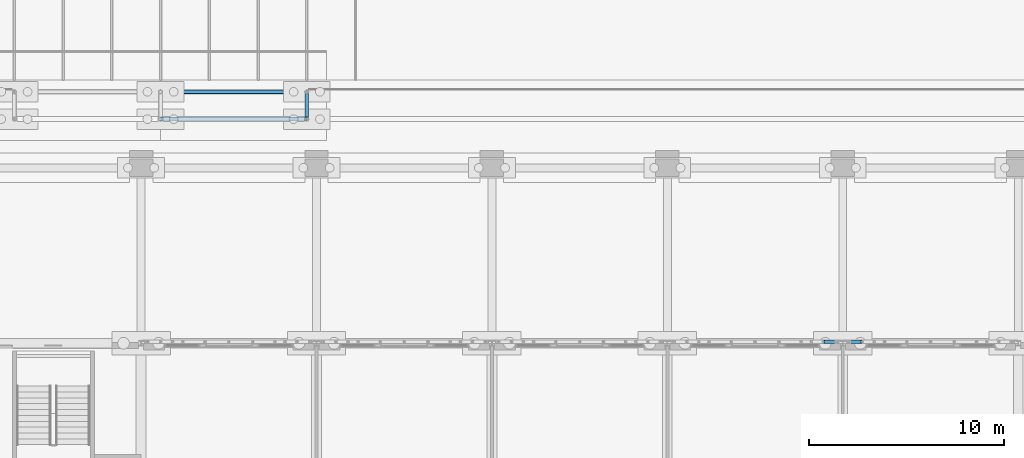
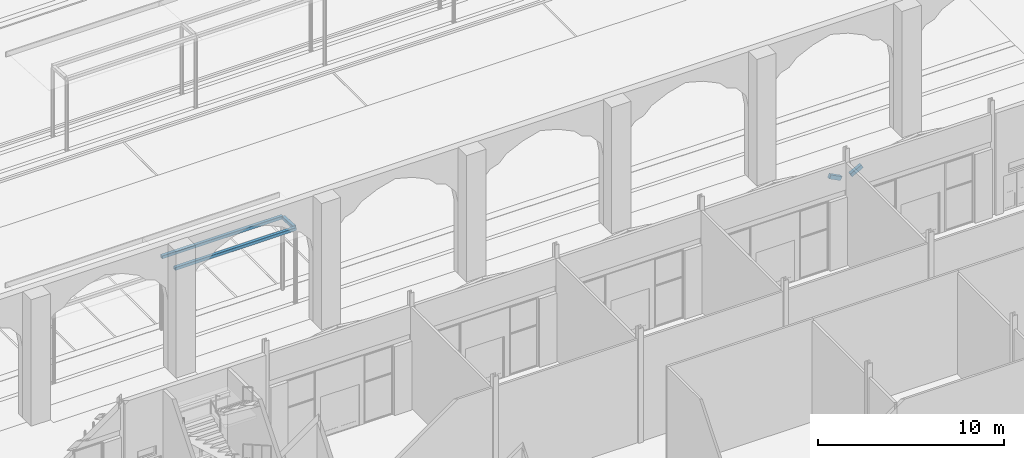
# One storey, part 61 of 250: 5 beams.
"""IFC4 building model written with IfcOpenShell, lengths in metres."""

from ifc_helpers import new_model, si_unit, direction, frame, origin, origin_2d, place, context, subcontext, project, spatial, rectangle, hollow_rectangle, extrude, material, material_profile, profile_set, type_object, element, save


model = new_model("IFC4")

# Units and contexts
model_context = context("Model", 3, precision=1e-05, world=origin(), true_north=direction((0.0, 1.0)))
body_context = subcontext(model_context, "Body", "Model", "MODEL_VIEW")
ifc_project = project(units=[si_unit("LENGTHUNIT", "METRE"), si_unit("AREAUNIT", "SQUARE_METRE"), si_unit("VOLUMEUNIT", "CUBIC_METRE"), si_unit("PLANEANGLEUNIT", "RADIAN"), si_unit("MASSUNIT", "GRAM", prefix="KILO")], contexts=[model_context])

# Site, building, storey
site_placement = place(None, origin())
site = spatial("IfcSite", under=ifc_project, at=site_placement, CompositionType="ELEMENT")
building_placement = place(site_placement, origin())
building = spatial("IfcBuilding", under=site, at=building_placement, Name="Baradari Gate Terminus", CompositionType="ELEMENT")
storey_placement = place(building_placement, origin())
storey = spatial("IfcBuildingStorey", under=building, at=storey_placement, Name="L00", CompositionType="ELEMENT", Elevation=0.0)

# Beams
ifc_material_1 = material(Name="Concrete C40/50 precast", Category="concrete")
ifc_material_profile_1 = material_profile(ifc_material_1, rectangle(XDim=0.199951171875, YDim=0.25, at=origin_2d()), Name="AB-1 200X250")
ifc_profile_set_1 = profile_set([ifc_material_profile_1], Name="Concrete C40/50 precast")
beam_type_1 = type_object("IfcBeamType", Name="Arcade arch segment AB-1 200x250", PredefinedType="BEAM", material=ifc_profile_set_1)
for number, where, z_axis, x_axis, name in (
    (1, (223.99755859375, 108.07861328125, 5.92578125), (0.89022472097, 0.0, -0.455521619875), (0.0, 1.0, 0.0), "Arcade arch AB-1 bay 24 segment 11"),
    (2, (225.302978515625, 108.07861328125, 5.56787109375), (0.89022472097, 0.0, 0.455521619875), (0.0, 1.0, 0.0), "Arcade arch AB-1 bay 25 segment 2"),
):
    element("IfcBeam", number, at=place(storey_placement, frame(where, z_axis=z_axis, x_axis=x_axis)), inside=storey, type_object=beam_type_1, Name=name, PredefinedType="BEAM", context=body_context, shape_type="SweptSolid", body=[
        extrude(rectangle(XDim=0.199951171875, YDim=0.25, at=origin_2d()), origin(), (0.0, 0.0, 1.0), 0.78564453125),
    ])
ifc_material_2 = material(Name="Steel S355", Category="steel")
ifc_material_profile_2 = material_profile(ifc_material_2, hollow_rectangle(XDim=0.199951171875, YDim=0.199951171875, WallThickness=0.008056640625, InnerFilletRadius=0.008056640625, OuterFilletRadius=0.01611328125, at=origin_2d()), Name="SHS 200x200x8")
ifc_profile_set_2 = profile_set([ifc_material_profile_2], Name="Steel S355")
beam_type_2 = type_object("IfcBeamType", Name="Shelter edge beam SHS 200x200x8", PredefinedType="BEAM", material=ifc_profile_set_2)
for number, where, z_axis, x_axis, name in (
    (3, (190.0, 119.5, 4.860107421875), (1.0, 0.0, 0.0), (0.0, 1.0, 0.0), "Taxi shelter edge beam 1.2"),
    (4, (190.0, 120.89990234375, 4.776123046875), (1.0, 0.0, 0.0), (0.0, 1.0, 0.0), "Taxi shelter edge beam 2.2"),
):
    element("IfcBeam", number, at=place(storey_placement, frame(where, z_axis=z_axis, x_axis=x_axis)), inside=storey, type_object=beam_type_2, Name=name, PredefinedType="BEAM", context=body_context, shape_type="SweptSolid", body=[
        extrude(hollow_rectangle(XDim=0.199951171875, YDim=0.199951171875, WallThickness=0.008056640625, InnerFilletRadius=0.008056640625, OuterFilletRadius=0.01611328125, at=origin_2d()), origin(), (0.0, 0.0, 1.0), 7.5),
    ])
beam_placement = place(storey_placement, frame((197.5, 119.60009765625, 4.85400390625), z_axis=(0.0, 0.998203631072, -0.059912527196), x_axis=(-1.0, 0.0, 0.0)))
element("IfcBeam", 5, at=beam_placement, inside=storey, type_object=beam_type_2, Name="Taxi shelter cross beam 3", PredefinedType="BEAM", context=body_context, shape_type="SweptSolid", body=[
    extrude(hollow_rectangle(XDim=0.199951171875, YDim=0.199951171875, WallThickness=0.008056640625, InnerFilletRadius=0.008056640625, OuterFilletRadius=0.01611328125, at=origin_2d()), origin(), (0.0, 0.0, 1.0), 1.2021484375),
])

save(model, "model.ifc")
